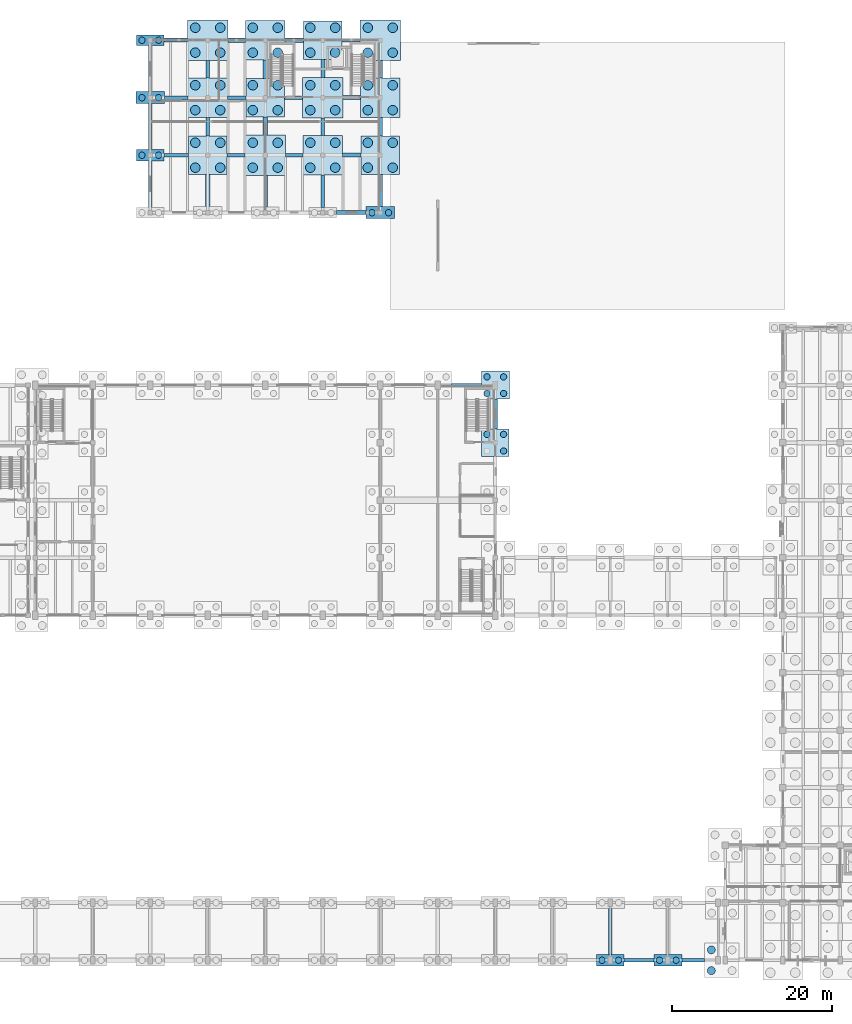
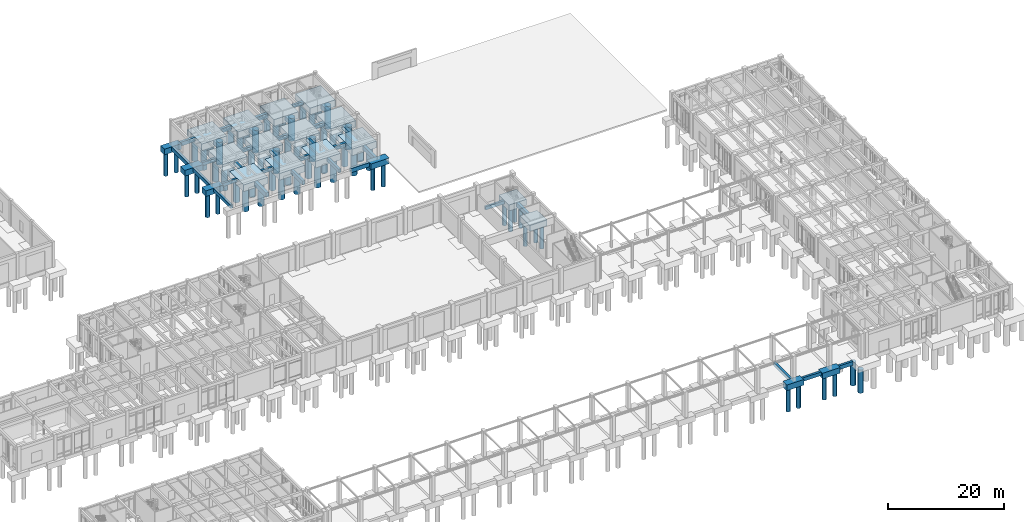
# One storey, part 7 of 93: 69 piles, 53 footings.
"""IFC4 building model written with IfcOpenShell, lengths in metres."""

import ifcopenshell
import ifcopenshell.guid

model = None  # the IFC model being written
_history = None  # IfcOwnerHistory: only IFC2X3 demands one
_inside = {}  # id of a spatial element -> (the spatial element, [elements in it])
_under = {}  # id of a project, library or spatial element -> (it, [spatial elements below it])
_declared = {}  # id of a project -> (the project, [libraries it declares])
_typed = {}  # id of a type object -> (the type object, [elements of that type])
_made_of = {}  # id of a material, layer set ... -> (it, [elements and type objects made of it])


def new_model(schema):
    """Start an empty IFC model of exactly this schema.

    Asked for "IFC4X3", IfcOpenShell would pick the latest addendum, in which some entities
    have other attributes; the version numbers below select the first issue.
    IFC2X3 requires an IfcOwnerHistory on every rooted entity: one is made here for all.
    """
    global model, _history
    if schema == "IFC4X3":
        model = ifcopenshell.file(schema_version=(4, 3, 0, 0))
    else:
        model = ifcopenshell.file(schema=schema)
    _inside.clear()
    _under.clear()
    _declared.clear()
    _typed.clear()
    _made_of.clear()
    _history = None
    if model.schema == "IFC2X3":
        org = make("IfcOrganization", Name="unknown")
        user = make(
            "IfcPersonAndOrganization",
            ThePerson=make("IfcPerson", FamilyName="unknown"),
            TheOrganization=org,
        )
        app = make(
            "IfcApplication",
            ApplicationDeveloper=org,
            Version="unknown",
            ApplicationFullName="unknown",
            ApplicationIdentifier="unknown",
        )
        _history = make(
            "IfcOwnerHistory",
            OwningUser=user,
            OwningApplication=app,
            ChangeAction="ADDED",
            CreationDate=0,
        )
    return model


def make(cls, **values):
    """One entity of the class cls with the attributes given. An attribute that is None is left unset."""
    return model.create_entity(
        cls, **{name: value for name, value in values.items() if value is not None}
    )


def rooted(cls, **values):
    """An entity with a GlobalId (a new one), such as an element, a storey or a relation."""
    return make(cls, GlobalId=ifcopenshell.guid.new(), OwnerHistory=_history, **values)


def si_unit(unit_type, name, prefix=None):
    """IfcSIUnit, for example si_unit("LENGTHUNIT", "METRE", prefix="MILLI")."""
    return make("IfcSIUnit", UnitType=unit_type, Prefix=prefix, Name=name)


def assignment(units):
    """IfcUnitAssignment: the units of a project."""
    return None if units is None else make("IfcUnitAssignment", Units=units)


def point(xyz):
    """IfcCartesianPoint."""
    return None if xyz is None else make("IfcCartesianPoint", Coordinates=xyz)


def direction(xyz):
    """IfcDirection."""
    return None if xyz is None else make("IfcDirection", DirectionRatios=xyz)


def frame(location, z_axis=None, x_axis=None):
    """IfcAxis2Placement3D, a coordinate frame: its origin and axes. An axis left out is left unset."""
    return make(
        "IfcAxis2Placement3D",
        Location=point(location),
        Axis=direction(z_axis),
        RefDirection=direction(x_axis),
    )


def frame_2d(location, x_axis=None):
    """IfcAxis2Placement2D, a coordinate frame in the plane: its origin and x axis."""
    return make(
        "IfcAxis2Placement2D", Location=point(location), RefDirection=direction(x_axis)
    )


def origin():
    """The frame at (0, 0, 0) with its axes left unset."""
    return frame((0.0, 0.0, 0.0))


def origin_2d():
    """The frame at (0, 0) in the plane with its x axis left unset."""
    return frame_2d((0.0, 0.0))


def place(relative_to, where):
    """IfcLocalPlacement: puts the frame where relative to a parent placement (None: the world)."""
    return make(
        "IfcLocalPlacement", PlacementRelTo=relative_to, RelativePlacement=where
    )


def context(
    kind, dimensions, precision=None, world=None, true_north=None, identifier=None
):
    """IfcGeometricRepresentationContext, for example the 3D "Model" context."""
    return make(
        "IfcGeometricRepresentationContext",
        ContextIdentifier=identifier,
        ContextType=kind,
        CoordinateSpaceDimension=dimensions,
        Precision=precision,
        WorldCoordinateSystem=world,
        TrueNorth=true_north,
    )


def subcontext(parent, identifier, kind, view, scale=None):
    """IfcGeometricRepresentationSubContext, for example "Body" below "Model"."""
    return make(
        "IfcGeometricRepresentationSubContext",
        ContextIdentifier=identifier,
        ContextType=kind,
        ParentContext=parent,
        TargetScale=scale,
        TargetView=view,
    )


def project(units=None, contexts=None):
    """IfcProject with its units and contexts."""
    return rooted(
        "IfcProject",
        Name="project",
        RepresentationContexts=contexts,
        UnitsInContext=assignment(units),
    )


def spatial(cls, under=None, at=None, **own):
    """A site, building, storey or space (cls), placed at a placement, below another one or the project."""
    s = rooted(cls, ObjectPlacement=at, **own)
    if under is not None:
        _under.setdefault(under.id(), (under, []))[1].append(s)
    return s


def profile(cls, at=None, kind="AREA", **sizes):
    """A parametric profile (cls). Its sizes go by their IFC names, for example OverallWidth=200.0."""
    return make(cls, ProfileType=kind, Position=at, **sizes)


def rectangle(**sizes):
    """IfcRectangleProfileDef."""
    return profile("IfcRectangleProfileDef", **sizes)


def circle(**sizes):
    """IfcCircleProfileDef."""
    return profile("IfcCircleProfileDef", **sizes)


def extrude(swept, where, along, depth):
    """IfcExtrudedAreaSolid: the profile swept, set in the frame where, extruded along a direction by depth."""
    return make(
        "IfcExtrudedAreaSolid",
        SweptArea=swept,
        Position=where,
        ExtrudedDirection=direction(along),
        Depth=depth,
    )


def shape(context_of_items, identifier, shape_type, items):
    """IfcShapeRepresentation: the items that make up one representation, for example the "Body"."""
    return make(
        "IfcShapeRepresentation",
        ContextOfItems=context_of_items,
        RepresentationIdentifier=identifier,
        RepresentationType=shape_type,
        Items=items,
    )


def material(Name=None, Category=None):
    """IfcMaterial."""
    return make("IfcMaterial", Name=Name, Category=Category)


def material_profile(
    of_material, cross_section, Name=None, Category=None, Priority=None
):
    """IfcMaterialProfile: a cross section and its material."""
    return make(
        "IfcMaterialProfile",
        Name=Name,
        Material=of_material,
        Profile=cross_section,
        Priority=Priority,
        Category=Category,
    )


def profile_set(profiles, Name=None, composite=None):
    """IfcMaterialProfileSet."""
    return make(
        "IfcMaterialProfileSet",
        Name=Name,
        MaterialProfiles=profiles,
        CompositeProfile=composite,
    )


def made_of(thing, what):
    """Note that an element or type object is made of a material, layer set ...; save() writes the relation."""
    if what is not None:
        _made_of.setdefault(what.id(), (what, []))[1].append(thing)
    return thing


def type_object(cls, material=None, **own):
    """A type object (cls), such as IfcWallType, which elements share."""
    return made_of(rooted(cls, **own), material)


def element(
    cls,
    number,
    at=None,
    inside=None,
    cuts=None,
    type_object=None,
    material=None,
    context=None,
    identifier="Body",
    shape_type=None,
    held_by="IfcProductDefinitionShape",
    body=None,
    shapes=None,
    **own,
):
    """One element of the class cls, such as IfcWall. Its Tag is "e" and its number.

    at: its placement. inside: the storey or other place that contains it. cuts: it is an
    opening in that element (IfcRelVoidsElement). A single representation is given by context,
    identifier, shape_type and body (its items); several are given by shapes. held_by: the class
    of the entity that holds the representations. save() writes the other relations.
    """
    e = rooted(cls, Tag="e%d" % number, ObjectPlacement=at, **own)
    if body is not None:
        shapes = [shape(context, identifier, shape_type, body)]
    if shapes is not None:
        e.Representation = make(held_by, Representations=shapes)
    if inside is not None:
        _inside.setdefault(inside.id(), (inside, []))[1].append(e)
    if cuts is not None:
        rooted(
            "IfcRelVoidsElement", RelatingBuildingElement=cuts, RelatedOpeningElement=e
        )
    if type_object is not None:
        _typed.setdefault(type_object.id(), (type_object, []))[1].append(e)
    return made_of(e, material)


def aggregate(whole, parts):
    """IfcRelAggregates: a whole, such as a stair, and the parts it consists of."""
    return rooted("IfcRelAggregates", RelatingObject=whole, RelatedObjects=parts)


def save(model, path):
    """Write the relations noted so far, then the file.

    IfcRelAggregates (storeys below a building ...), IfcRelContainedInSpatialStructure (elements
    in a storey), IfcRelDefinesByType, IfcRelAssociatesMaterial and IfcRelDeclares: one each for
    every whole, place, type object, material and project.
    """
    for whole, parts in _under.values():
        aggregate(whole, parts)
    for where, things in _inside.values():
        rooted(
            "IfcRelContainedInSpatialStructure",
            RelatedElements=things,
            RelatingStructure=where,
        )
    for kind, things in _typed.values():
        rooted("IfcRelDefinesByType", RelatedObjects=things, RelatingType=kind)
    for what, things in _made_of.values():
        rooted("IfcRelAssociatesMaterial", RelatedObjects=things, RelatingMaterial=what)
    for by, libraries in _declared.values():
        rooted("IfcRelDeclares", RelatingContext=by, RelatedDefinitions=libraries)
    model.write(path)


model = new_model("IFC4")

# Units and contexts
model_context = context("Model", 3, precision=1e-05, world=origin(), true_north=direction((0.0, 1.0)))
body_context = subcontext(model_context, "Body", "Model", "MODEL_VIEW")
ifc_project = project(units=[si_unit("LENGTHUNIT", "METRE"), si_unit("AREAUNIT", "SQUARE_METRE"), si_unit("VOLUMEUNIT", "CUBIC_METRE"), si_unit("PLANEANGLEUNIT", "RADIAN"), si_unit("MASSUNIT", "GRAM", prefix="KILO")], contexts=[model_context])

# Site, building, storey
site_placement = place(None, origin())
site = spatial("IfcSite", under=ifc_project, at=site_placement, CompositionType="ELEMENT")
building_placement = place(site_placement, origin())
building = spatial("IfcBuilding", under=site, at=building_placement, Name="Koriwan Promenade Central Fire Station", CompositionType="ELEMENT")
storey_placement = place(building_placement, origin())
storey = spatial("IfcBuildingStorey", under=building, at=storey_placement, Name="L00", CompositionType="ELEMENT", Elevation=0.0)

# Piles
ifc_material = material(Name="Concrete C35/45", Category="concrete")
ifc_material_profile_1 = material_profile(ifc_material, circle(Radius=0.5, at=origin_2d()), Name="PILE-D1000")
ifc_profile_set_1 = profile_set([ifc_material_profile_1], Name="Concrete C35/45")
pile_type_1 = type_object("IfcPileType", Name="BoredPile_1000", PredefinedType="BORED", material=ifc_profile_set_1)
for number, where, z_axis, x_axis, name in (
    (1, (142.25, -1.300048828125, -1.14990234375), (0.0, 0.0, -1.0), (1.0, 0.0, 0.0), "Bored pile PCAP_161-11"),
    (2, (142.25, 1.300048828125, -1.14990234375), (0.0, 0.0, -1.0), (1.0, 0.0, 0.0), "Bored pile PCAP_161-12"),
):
    element("IfcPile", number, at=place(storey_placement, frame(where, z_axis=z_axis, x_axis=x_axis)), inside=storey, type_object=pile_type_1, Name=name, PredefinedType="BORED", context=body_context, shape_type="SweptSolid", body=[
        extrude(circle(Radius=0.5, at=origin_2d()), origin(), (0.0, 0.0, 1.0), 4.89990234375),
    ])
ifc_material_profile_2 = material_profile(ifc_material, circle(Radius=0.60009765625, at=origin_2d()), Name="PILE-D1200")
ifc_profile_set_2 = profile_set([ifc_material_profile_2], Name="Concrete C35/45")
pile_type_2 = type_object("IfcPileType", Name="BoredPile_1200", PredefinedType="BORED", material=ifc_profile_set_2)
for number, where, z_axis, x_axis, name in (
    (3, (77.639892578125, 99.239990234375, -1.25), (0.0, 0.0, -1.0), (1.0, 0.0, 0.0), "Bored pile PCAP_108-11"),
    (4, (77.639892578125, 102.360107421875, -1.25), (0.0, 0.0, -1.0), (1.0, 0.0, 0.0), "Bored pile PCAP_108-12"),
    (5, (80.760009765625, 99.239990234375, -1.25), (0.0, 0.0, -1.0), (1.0, 0.0, 0.0), "Bored pile PCAP_108-21"),
    (6, (80.760009765625, 102.360107421875, -1.25), (0.0, 0.0, -1.0), (1.0, 0.0, 0.0), "Bored pile PCAP_108-22"),
    (7, (77.639892578125, 106.43994140625, -1.25), (0.0, 0.0, -1.0), (1.0, 0.0, 0.0), "Bored pile PCAP_109-11"),
    (8, (77.639892578125, 109.56005859375, -1.25), (0.0, 0.0, -1.0), (1.0, 0.0, 0.0), "Bored pile PCAP_109-12"),
    (9, (80.760009765625, 106.43994140625, -1.25), (0.0, 0.0, -1.0), (1.0, 0.0, 0.0), "Bored pile PCAP_109-21"),
    (10, (80.760009765625, 109.56005859375, -1.25), (0.0, 0.0, -1.0), (1.0, 0.0, 0.0), "Bored pile PCAP_109-22"),
    (11, (77.639892578125, 113.639892578125, -1.25), (0.0, 0.0, -1.0), (1.0, 0.0, 0.0), "Bored pile PCAP_110-11"),
    (12, (77.639892578125, 116.760009765625, -1.25), (0.0, 0.0, -1.0), (1.0, 0.0, 0.0), "Bored pile PCAP_110-12"),
    (13, (80.760009765625, 113.639892578125, -1.25), (0.0, 0.0, -1.0), (1.0, 0.0, 0.0), "Bored pile PCAP_110-21"),
    (14, (80.760009765625, 116.760009765625, -1.25), (0.0, 0.0, -1.0), (1.0, 0.0, 0.0), "Bored pile PCAP_110-22"),
    (15, (84.840087890625, 99.239990234375, -1.25), (0.0, 0.0, -1.0), (1.0, 0.0, 0.0), "Bored pile PCAP_116-11"),
    (16, (84.840087890625, 102.360107421875, -1.25), (0.0, 0.0, -1.0), (1.0, 0.0, 0.0), "Bored pile PCAP_116-12"),
    (17, (87.9599609375, 99.239990234375, -1.25), (0.0, 0.0, -1.0), (1.0, 0.0, 0.0), "Bored pile PCAP_116-21"),
    (18, (87.9599609375, 102.360107421875, -1.25), (0.0, 0.0, -1.0), (1.0, 0.0, 0.0), "Bored pile PCAP_116-22"),
    (19, (84.840087890625, 106.43994140625, -1.25), (0.0, 0.0, -1.0), (1.0, 0.0, 0.0), "Bored pile PCAP_117-11"),
    (20, (84.840087890625, 109.56005859375, -1.25), (0.0, 0.0, -1.0), (1.0, 0.0, 0.0), "Bored pile PCAP_117-12"),
    (21, (87.9599609375, 106.43994140625, -1.25), (0.0, 0.0, -1.0), (1.0, 0.0, 0.0), "Bored pile PCAP_117-21"),
    (22, (87.9599609375, 109.56005859375, -1.25), (0.0, 0.0, -1.0), (1.0, 0.0, 0.0), "Bored pile PCAP_117-22"),
    (23, (84.840087890625, 113.639892578125, -1.25), (0.0, 0.0, -1.0), (1.0, 0.0, 0.0), "Bored pile PCAP_118-11"),
    (24, (84.840087890625, 116.760009765625, -1.25), (0.0, 0.0, -1.0), (1.0, 0.0, 0.0), "Bored pile PCAP_118-12"),
    (25, (87.9599609375, 113.639892578125, -1.25), (0.0, 0.0, -1.0), (1.0, 0.0, 0.0), "Bored pile PCAP_118-21"),
    (26, (87.9599609375, 116.760009765625, -1.25), (0.0, 0.0, -1.0), (1.0, 0.0, 0.0), "Bored pile PCAP_118-22"),
    (27, (92.0400390625, 99.239990234375, -1.25), (0.0, 0.0, -1.0), (1.0, 0.0, 0.0), "Bored pile PCAP_124-11"),
    (28, (92.0400390625, 102.360107421875, -1.25), (0.0, 0.0, -1.0), (1.0, 0.0, 0.0), "Bored pile PCAP_124-12"),
    (29, (95.159912109375, 99.239990234375, -1.25), (0.0, 0.0, -1.0), (1.0, 0.0, 0.0), "Bored pile PCAP_124-21"),
    (30, (95.159912109375, 102.360107421875, -1.25), (0.0, 0.0, -1.0), (1.0, 0.0, 0.0), "Bored pile PCAP_124-22"),
    (31, (92.0400390625, 106.43994140625, -1.25), (0.0, 0.0, -1.0), (1.0, 0.0, 0.0), "Bored pile PCAP_125-11"),
    (32, (92.0400390625, 109.56005859375, -1.25), (0.0, 0.0, -1.0), (1.0, 0.0, 0.0), "Bored pile PCAP_125-12"),
    (33, (95.159912109375, 106.43994140625, -1.25), (0.0, 0.0, -1.0), (1.0, 0.0, 0.0), "Bored pile PCAP_125-21"),
    (34, (95.159912109375, 109.56005859375, -1.25), (0.0, 0.0, -1.0), (1.0, 0.0, 0.0), "Bored pile PCAP_125-22"),
    (35, (92.0400390625, 113.639892578125, -1.25), (0.0, 0.0, -1.0), (1.0, 0.0, 0.0), "Bored pile PCAP_126-11"),
    (36, (92.0400390625, 116.760009765625, -1.25), (0.0, 0.0, -1.0), (1.0, 0.0, 0.0), "Bored pile PCAP_126-12"),
    (37, (95.159912109375, 113.639892578125, -1.25), (0.0, 0.0, -1.0), (1.0, 0.0, 0.0), "Bored pile PCAP_126-21"),
    (38, (95.159912109375, 116.760009765625, -1.25), (0.0, 0.0, -1.0), (1.0, 0.0, 0.0), "Bored pile PCAP_126-22"),
    (39, (99.239990234375, 99.239990234375, -1.25), (0.0, 0.0, -1.0), (1.0, 0.0, 0.0), "Bored pile PCAP_135-11"),
    (40, (99.239990234375, 102.360107421875, -1.25), (0.0, 0.0, -1.0), (1.0, 0.0, 0.0), "Bored pile PCAP_135-12"),
    (41, (102.360107421875, 99.239990234375, -1.25), (0.0, 0.0, -1.0), (1.0, 0.0, 0.0), "Bored pile PCAP_135-21"),
    (42, (102.360107421875, 102.360107421875, -1.25), (0.0, 0.0, -1.0), (1.0, 0.0, 0.0), "Bored pile PCAP_135-22"),
    (43, (99.239990234375, 106.43994140625, -1.25), (0.0, 0.0, -1.0), (1.0, 0.0, 0.0), "Bored pile PCAP_136-11"),
    (44, (99.239990234375, 109.56005859375, -1.25), (0.0, 0.0, -1.0), (1.0, 0.0, 0.0), "Bored pile PCAP_136-12"),
    (45, (102.360107421875, 106.43994140625, -1.25), (0.0, 0.0, -1.0), (1.0, 0.0, 0.0), "Bored pile PCAP_136-21"),
    (46, (102.360107421875, 109.56005859375, -1.25), (0.0, 0.0, -1.0), (1.0, 0.0, 0.0), "Bored pile PCAP_136-22"),
    (47, (99.239990234375, 113.639892578125, -1.25), (0.0, 0.0, -1.0), (1.0, 0.0, 0.0), "Bored pile PCAP_137-11"),
    (48, (99.239990234375, 116.760009765625, -1.25), (0.0, 0.0, -1.0), (1.0, 0.0, 0.0), "Bored pile PCAP_137-12"),
    (49, (102.360107421875, 113.639892578125, -1.25), (0.0, 0.0, -1.0), (1.0, 0.0, 0.0), "Bored pile PCAP_137-21"),
    (50, (102.360107421875, 116.760009765625, -1.25), (0.0, 0.0, -1.0), (1.0, 0.0, 0.0), "Bored pile PCAP_137-22"),
):
    element("IfcPile", number, at=place(storey_placement, frame(where, z_axis=z_axis, x_axis=x_axis)), inside=storey, type_object=pile_type_2, Name=name, PredefinedType="BORED", context=body_context, shape_type="SweptSolid", body=[
        extrude(circle(Radius=0.60009765625, at=origin_2d()), origin(), (0.0, 0.0, 1.0), 4.800048828125),
    ])
ifc_material_profile_3 = material_profile(ifc_material, circle(Radius=0.39990234375, at=origin_2d()), Name="PILE-D800")
ifc_profile_set_3 = profile_set([ifc_material_profile_3], Name="Concrete C35/45")
pile_type_3 = type_object("IfcPileType", Name="BoredPile_800", PredefinedType="BORED", material=ifc_profile_set_3)
for number, where, z_axis, x_axis, name in (
    (51, (70.9599609375, 100.800048828125, -1.050048828125), (0.0, 0.0, -1.0), (1.0, 0.0, 0.0), "Bored pile PCAP_100-11"),
    (52, (73.0400390625, 100.800048828125, -1.050048828125), (0.0, 0.0, -1.0), (1.0, 0.0, 0.0), "Bored pile PCAP_100-21"),
    (53, (70.9599609375, 108.0, -1.050048828125), (0.0, 0.0, -1.0), (1.0, 0.0, 0.0), "Bored pile PCAP_101-11"),
    (54, (73.0400390625, 108.0, -1.050048828125), (0.0, 0.0, -1.0), (1.0, 0.0, 0.0), "Bored pile PCAP_101-21"),
    (55, (70.9599609375, 115.199951171875, -1.050048828125), (0.0, 0.0, -1.0), (1.0, 0.0, 0.0), "Bored pile PCAP_102-11"),
    (56, (73.0400390625, 115.199951171875, -1.050048828125), (0.0, 0.0, -1.0), (1.0, 0.0, 0.0), "Bored pile PCAP_102-21"),
    (57, (99.760009765625, 93.60009765625, -1.050048828125), (0.0, 0.0, -1.0), (1.0, 0.0, 0.0), "Bored pile PCAP_134-11"),
    (58, (101.840087890625, 93.60009765625, -1.050048828125), (0.0, 0.0, -1.0), (1.0, 0.0, 0.0), "Bored pile PCAP_134-21"),
):
    element("IfcPile", number, at=place(storey_placement, frame(where, z_axis=z_axis, x_axis=x_axis)), inside=storey, type_object=pile_type_3, Name=name, PredefinedType="BORED", context=body_context, shape_type="SweptSolid", body=[
        extrude(circle(Radius=0.39990234375, at=origin_2d()), origin(), (0.0, 0.0, 1.0), 5.0),
    ])
for number, where, z_axis, x_axis, name in (
    (59, (114.159912109375, 65.840087890625, -1.10009765625), (0.0, 0.0, -1.0), (1.0, 0.0, 0.0), "Bored pile PCAP_147-12"),
    (60, (116.239990234375, 63.760009765625, -1.10009765625), (0.0, 0.0, -1.0), (1.0, 0.0, 0.0), "Bored pile PCAP_147-21"),
    (61, (116.239990234375, 65.840087890625, -1.10009765625), (0.0, 0.0, -1.0), (1.0, 0.0, 0.0), "Bored pile PCAP_147-22"),
    (62, (114.159912109375, 70.9599609375, -1.10009765625), (0.0, 0.0, -1.0), (1.0, 0.0, 0.0), "Bored pile PCAP_148-11"),
    (63, (114.159912109375, 73.0400390625, -1.10009765625), (0.0, 0.0, -1.0), (1.0, 0.0, 0.0), "Bored pile PCAP_148-12"),
    (64, (116.239990234375, 70.9599609375, -1.10009765625), (0.0, 0.0, -1.0), (1.0, 0.0, 0.0), "Bored pile PCAP_148-21"),
    (65, (116.239990234375, 73.0400390625, -1.10009765625), (0.0, 0.0, -1.0), (1.0, 0.0, 0.0), "Bored pile PCAP_148-22"),
):
    element("IfcPile", number, at=place(storey_placement, frame(where, z_axis=z_axis, x_axis=x_axis)), inside=storey, type_object=pile_type_3, Name=name, PredefinedType="BORED", context=body_context, shape_type="SweptSolid", body=[
        extrude(circle(Radius=0.39990234375, at=origin_2d()), origin(), (0.0, 0.0, 1.0), 4.949951171875),
    ])
for number, where, z_axis, x_axis, name in (
    (66, (128.56005859375, 0.0, -1.050048828125), (0.0, 0.0, -1.0), (1.0, 0.0, 0.0), "Bored pile PCAP_153-11"),
    (67, (130.639892578125, 0.0, -1.050048828125), (0.0, 0.0, -1.0), (1.0, 0.0, 0.0), "Bored pile PCAP_153-21"),
    (68, (135.760009765625, 0.0, -1.050048828125), (0.0, 0.0, -1.0), (1.0, 0.0, 0.0), "Bored pile PCAP_157-11"),
    (69, (137.840087890625, 0.0, -1.050048828125), (0.0, 0.0, -1.0), (1.0, 0.0, 0.0), "Bored pile PCAP_157-21"),
):
    element("IfcPile", number, at=place(storey_placement, frame(where, z_axis=z_axis, x_axis=x_axis)), inside=storey, type_object=pile_type_3, Name=name, PredefinedType="BORED", context=body_context, shape_type="SweptSolid", body=[
        extrude(circle(Radius=0.39990234375, at=origin_2d()), origin(), (0.0, 0.0, 1.0), 5.0),
    ])

# Footings
footing_type_1 = type_object("IfcFootingType", Name="GroundTieBeam_400x700", PredefinedType="FOOTING_BEAM", material=ifc_material)
footing_1_placement = place(storey_placement, frame((111.574951171875, 72.0, -0.7001953125), z_axis=(0.0, 0.0, 1.0), x_axis=(1.0, 0.0, 0.0)))
element("IfcFooting", 70, at=footing_1_placement, inside=storey, type_object=footing_type_1, Name="Seismic tie beam X-144", PredefinedType="FOOTING_BEAM", context=body_context, shape_type="SweptSolid", body=[
    extrude(rectangle(XDim=3.75, YDim=0.39990234375, at=origin_2d()), origin(), (0.0, 0.0, 1.0), 0.699951171875),
])
footing_2_placement = place(storey_placement, frame((75.262451171875, 100.800048828125, -0.7001953125), z_axis=(0.0, 0.0, 1.0), x_axis=(1.0, 0.0, 0.0)))
element("IfcFooting", 71, at=footing_2_placement, inside=storey, type_object=footing_type_1, Name="Seismic tie beam X-162", PredefinedType="FOOTING_BEAM", context=body_context, shape_type="SweptSolid", body=[
    extrude(rectangle(XDim=3.02490234375, YDim=0.39990234375, at=origin_2d()), origin(), (0.0, 0.0, 1.0), 0.699951171875),
])
footing_3_placement = place(storey_placement, frame((75.262451171875, 108.0, -0.7001953125), z_axis=(0.0, 0.0, 1.0), x_axis=(1.0, 0.0, 0.0)))
element("IfcFooting", 72, at=footing_3_placement, inside=storey, type_object=footing_type_1, Name="Seismic tie beam X-168", PredefinedType="FOOTING_BEAM", context=body_context, shape_type="SweptSolid", body=[
    extrude(rectangle(XDim=2.925048828125, YDim=0.39990234375, at=origin_2d()), origin(), (0.0, 0.0, 1.0), 0.699951171875),
])
footing_4_placement = place(storey_placement, frame((97.14990234375, 115.199951171875, -0.7001953125), z_axis=(0.0, 0.0, 1.0), x_axis=(1.0, 0.0, 0.0)))
element("IfcFooting", 73, at=footing_4_placement, inside=storey, type_object=footing_type_1, Name="Seismic tie beam X-180", PredefinedType="FOOTING_BEAM", context=body_context, shape_type="SweptSolid", body=[
    extrude(rectangle(XDim=2.25, YDim=0.39990234375, at=origin_2d()), origin(), (0.0, 0.0, 1.0), 0.699951171875),
])
footing_5_placement = place(storey_placement, frame((79.199951171875, 104.375, -0.7001953125), z_axis=(0.0, 0.0, 1.0), x_axis=(0.0, 1.0, 0.0)))
element("IfcFooting", 74, at=footing_5_placement, inside=storey, type_object=footing_type_1, Name="Seismic tie beam Y-252", PredefinedType="FOOTING_BEAM", context=body_context, shape_type="SweptSolid", body=[
    extrude(rectangle(XDim=2.300048828125, YDim=0.39990234375, at=origin_2d()), origin(), (0.0, 0.0, 1.0), 0.699951171875),
])
footing_type_2 = type_object("IfcFootingType", Name="GroundTieBeam_450x750", PredefinedType="FOOTING_BEAM", material=ifc_material)
footing_6_placement = place(storey_placement, frame((133.175048828125, 0.0, -0.75), z_axis=(0.0, 0.0, 1.0), x_axis=(1.0, 0.0, 0.0)))
element("IfcFooting", 75, at=footing_6_placement, inside=storey, type_object=footing_type_2, Name="Seismic tie beam X-019", PredefinedType="FOOTING_BEAM", context=body_context, shape_type="SweptSolid", body=[
    extrude(rectangle(XDim=3.75, YDim=0.449951171875, at=origin_2d()), origin(), (0.0, 0.0, 1.0), 0.75),
])
footing_7_placement = place(storey_placement, frame((82.75, 100.800048828125, -0.75), z_axis=(0.0, 0.0, 1.0), x_axis=(1.0, 0.0, 0.0)))
element("IfcFooting", 76, at=footing_7_placement, inside=storey, type_object=footing_type_2, Name="Seismic tie beam X-163", PredefinedType="FOOTING_BEAM", context=body_context, shape_type="SweptSolid", body=[
    extrude(rectangle(XDim=2.25, YDim=0.449951171875, at=origin_2d()), origin(), (0.0, 0.0, 1.0), 0.75),
])
footing_8_placement = place(storey_placement, frame((82.824951171875, 108.0, -0.75), z_axis=(0.0, 0.0, 1.0), x_axis=(1.0, 0.0, 0.0)))
element("IfcFooting", 77, at=footing_8_placement, inside=storey, type_object=footing_type_2, Name="Seismic tie beam X-169", PredefinedType="FOOTING_BEAM", context=body_context, shape_type="SweptSolid", body=[
    extrude(rectangle(XDim=2.300048828125, YDim=0.449951171875, at=origin_2d()), origin(), (0.0, 0.0, 1.0), 0.75),
])
footing_9_placement = place(storey_placement, frame((72.0, 97.175048828125, -0.75), z_axis=(0.0, 0.0, 1.0), x_axis=(0.0, 1.0, 0.0)))
element("IfcFooting", 78, at=footing_9_placement, inside=storey, type_object=footing_type_2, Name="Seismic tie beam Y-247", PredefinedType="FOOTING_BEAM", context=body_context, shape_type="SweptSolid", body=[
    extrude(rectangle(XDim=5.85009765625, YDim=0.449951171875, at=origin_2d()), origin(), (0.0, 0.0, 1.0), 0.75),
])
footing_10_placement = place(storey_placement, frame((79.199951171875, 111.574951171875, -0.75), z_axis=(0.0, 0.0, 1.0), x_axis=(0.0, 1.0, 0.0)))
element("IfcFooting", 79, at=footing_10_placement, inside=storey, type_object=footing_type_2, Name="Seismic tie beam Y-253", PredefinedType="FOOTING_BEAM", context=body_context, shape_type="SweptSolid", body=[
    extrude(rectangle(XDim=2.199951171875, YDim=0.449951171875, at=origin_2d()), origin(), (0.0, 0.0, 1.0), 0.75),
])
footing_11_placement = place(storey_placement, frame((93.60009765625, 96.28759765625, -0.75), z_axis=(0.0, 0.0, 1.0), x_axis=(0.0, 1.0, 0.0)))
element("IfcFooting", 80, at=footing_11_placement, inside=storey, type_object=footing_type_2, Name="Seismic tie beam Y-259", PredefinedType="FOOTING_BEAM", context=body_context, shape_type="SweptSolid", body=[
    extrude(rectangle(XDim=4.074951171875, YDim=0.449951171875, at=origin_2d()), origin(), (0.0, 0.0, 1.0), 0.75),
])
footing_12_placement = place(storey_placement, frame((129.60009765625, 3.58740234375, -0.75), z_axis=(0.0, 0.0, 1.0), x_axis=(0.0, 1.0, 0.0)))
element("IfcFooting", 81, at=footing_12_placement, inside=storey, type_object=footing_type_2, Name="Seismic tie beam Y-277", PredefinedType="FOOTING_BEAM", context=body_context, shape_type="SweptSolid", body=[
    extrude(rectangle(XDim=5.77490234375, YDim=0.449951171875, at=origin_2d()), origin(), (0.0, 0.0, 1.0), 0.75),
])
footing_type_3 = type_object("IfcFootingType", Name="GroundTieBeam_450x800", PredefinedType="FOOTING_BEAM", material=ifc_material)
footing_13_placement = place(storey_placement, frame((139.97509765625, 0.0, -0.7998046875), z_axis=(0.0, 0.0, 1.0), x_axis=(1.0, 0.0, 0.0)))
element("IfcFooting", 82, at=footing_13_placement, inside=storey, type_object=footing_type_3, Name="Seismic tie beam X-020", PredefinedType="FOOTING_BEAM", context=body_context, shape_type="SweptSolid", body=[
    extrude(rectangle(XDim=2.85009765625, YDim=0.449951171875, at=origin_2d()), origin(), (0.0, 0.0, 1.0), 0.800048828125),
])
footing_14_placement = place(storey_placement, frame((90.02490234375, 100.800048828125, -0.7998046875), z_axis=(0.0, 0.0, 1.0), x_axis=(1.0, 0.0, 0.0)))
element("IfcFooting", 83, at=footing_14_placement, inside=storey, type_object=footing_type_3, Name="Seismic tie beam X-164", PredefinedType="FOOTING_BEAM", context=body_context, shape_type="SweptSolid", body=[
    extrude(rectangle(XDim=2.199951171875, YDim=0.449951171875, at=origin_2d()), origin(), (0.0, 0.0, 1.0), 0.800048828125),
])
footing_15_placement = place(storey_placement, frame((89.949951171875, 108.0, -0.7998046875), z_axis=(0.0, 0.0, 1.0), x_axis=(1.0, 0.0, 0.0)))
element("IfcFooting", 84, at=footing_15_placement, inside=storey, type_object=footing_type_3, Name="Seismic tie beam X-170", PredefinedType="FOOTING_BEAM", context=body_context, shape_type="SweptSolid", body=[
    extrude(rectangle(XDim=2.25, YDim=0.449951171875, at=origin_2d()), origin(), (0.0, 0.0, 1.0), 0.800048828125),
])
footing_16_placement = place(storey_placement, frame((72.0, 104.375, -0.7998046875), z_axis=(0.0, 0.0, 1.0), x_axis=(0.0, 1.0, 0.0)))
element("IfcFooting", 85, at=footing_16_placement, inside=storey, type_object=footing_type_3, Name="Seismic tie beam Y-248", PredefinedType="FOOTING_BEAM", context=body_context, shape_type="SweptSolid", body=[
    extrude(rectangle(XDim=5.75, YDim=0.449951171875, at=origin_2d()), origin(), (0.0, 0.0, 1.0), 0.800048828125),
])
footing_17_placement = place(storey_placement, frame((93.60009765625, 104.375, -0.7998046875), z_axis=(0.0, 0.0, 1.0), x_axis=(0.0, 1.0, 0.0)))
element("IfcFooting", 86, at=footing_17_placement, inside=storey, type_object=footing_type_3, Name="Seismic tie beam Y-260", PredefinedType="FOOTING_BEAM", context=body_context, shape_type="SweptSolid", body=[
    extrude(rectangle(XDim=2.199951171875, YDim=0.449951171875, at=origin_2d()), origin(), (0.0, 0.0, 1.0), 0.800048828125),
])
footing_type_4 = type_object("IfcFootingType", Name="GroundTieBeam_500x850", PredefinedType="FOOTING_BEAM", material=ifc_material)
footing_18_placement = place(storey_placement, frame((97.14990234375, 93.60009765625, -0.85009765625), z_axis=(0.0, 0.0, 1.0), x_axis=(1.0, 0.0, 0.0)))
element("IfcFooting", 87, at=footing_18_placement, inside=storey, type_object=footing_type_4, Name="Seismic tie beam X-159", PredefinedType="FOOTING_BEAM", context=body_context, shape_type="SweptSolid", body=[
    extrude(rectangle(XDim=3.699951171875, YDim=0.5, at=origin_2d()), origin(), (0.0, 0.0, 1.0), 0.85009765625),
])
footing_19_placement = place(storey_placement, frame((97.22509765625, 100.800048828125, -0.85009765625), z_axis=(0.0, 0.0, 1.0), x_axis=(1.0, 0.0, 0.0)))
element("IfcFooting", 88, at=footing_19_placement, inside=storey, type_object=footing_type_4, Name="Seismic tie beam X-165", PredefinedType="FOOTING_BEAM", context=body_context, shape_type="SweptSolid", body=[
    extrude(rectangle(XDim=2.300048828125, YDim=0.5, at=origin_2d()), origin(), (0.0, 0.0, 1.0), 0.85009765625),
])
footing_20_placement = place(storey_placement, frame((97.22509765625, 108.0, -0.85009765625), z_axis=(0.0, 0.0, 1.0), x_axis=(1.0, 0.0, 0.0)))
element("IfcFooting", 89, at=footing_20_placement, inside=storey, type_object=footing_type_4, Name="Seismic tie beam X-171", PredefinedType="FOOTING_BEAM", context=body_context, shape_type="SweptSolid", body=[
    extrude(rectangle(XDim=2.199951171875, YDim=0.5, at=origin_2d()), origin(), (0.0, 0.0, 1.0), 0.85009765625),
])
footing_21_placement = place(storey_placement, frame((75.1875, 115.199951171875, -0.85009765625), z_axis=(0.0, 0.0, 1.0), x_axis=(1.0, 0.0, 0.0)))
element("IfcFooting", 90, at=footing_21_placement, inside=storey, type_object=footing_type_4, Name="Seismic tie beam X-177", PredefinedType="FOOTING_BEAM", context=body_context, shape_type="SweptSolid", body=[
    extrude(rectangle(XDim=2.97509765625, YDim=0.5, at=origin_2d()), origin(), (0.0, 0.0, 1.0), 0.85009765625),
])
footing_22_placement = place(storey_placement, frame((72.0, 111.64990234375, -0.85009765625), z_axis=(0.0, 0.0, 1.0), x_axis=(0.0, 1.0, 0.0)))
element("IfcFooting", 91, at=footing_22_placement, inside=storey, type_object=footing_type_4, Name="Seismic tie beam Y-249", PredefinedType="FOOTING_BEAM", context=body_context, shape_type="SweptSolid", body=[
    extrude(rectangle(XDim=5.800048828125, YDim=0.5, at=origin_2d()), origin(), (0.0, 0.0, 1.0), 0.85009765625),
])
footing_23_placement = place(storey_placement, frame((86.39990234375, 96.28759765625, -0.85009765625), z_axis=(0.0, 0.0, 1.0), x_axis=(0.0, 1.0, 0.0)))
element("IfcFooting", 92, at=footing_23_placement, inside=storey, type_object=footing_type_4, Name="Seismic tie beam Y-255", PredefinedType="FOOTING_BEAM", context=body_context, shape_type="SweptSolid", body=[
    extrude(rectangle(XDim=3.97509765625, YDim=0.5, at=origin_2d()), origin(), (0.0, 0.0, 1.0), 0.85009765625),
])
footing_24_placement = place(storey_placement, frame((93.60009765625, 111.64990234375, -0.85009765625), z_axis=(0.0, 0.0, 1.0), x_axis=(0.0, 1.0, 0.0)))
element("IfcFooting", 93, at=footing_24_placement, inside=storey, type_object=footing_type_4, Name="Seismic tie beam Y-261", PredefinedType="FOOTING_BEAM", context=body_context, shape_type="SweptSolid", body=[
    extrude(rectangle(XDim=2.25, YDim=0.5, at=origin_2d()), origin(), (0.0, 0.0, 1.0), 0.85009765625),
])
footing_25_placement = place(storey_placement, frame((100.800048828125, 96.362548828125, -0.85009765625), z_axis=(0.0, 0.0, 1.0), x_axis=(0.0, 1.0, 0.0)))
element("IfcFooting", 94, at=footing_25_placement, inside=storey, type_object=footing_type_4, Name="Seismic tie beam Y-267", PredefinedType="FOOTING_BEAM", context=body_context, shape_type="SweptSolid", body=[
    extrude(rectangle(XDim=4.02490234375, YDim=0.5, at=origin_2d()), origin(), (0.0, 0.0, 1.0), 0.85009765625),
])
footing_26_placement = place(storey_placement, frame((115.199951171875, 68.375, -0.85009765625), z_axis=(0.0, 0.0, 1.0), x_axis=(0.0, 1.0, 0.0)))
element("IfcFooting", 95, at=footing_26_placement, inside=storey, type_object=footing_type_4, Name="Seismic tie beam Y-273", PredefinedType="FOOTING_BEAM", context=body_context, shape_type="SweptSolid", body=[
    extrude(rectangle(XDim=3.75, YDim=0.5, at=origin_2d()), origin(), (0.0, 0.0, 1.0), 0.85009765625),
])
footing_type_5 = type_object("IfcFootingType", Name="GroundTieBeam_550x900", PredefinedType="FOOTING_BEAM", material=ifc_material)
footing_27_placement = place(storey_placement, frame((82.824951171875, 115.199951171875, -0.89990234375), z_axis=(0.0, 0.0, 1.0), x_axis=(1.0, 0.0, 0.0)))
element("IfcFooting", 96, at=footing_27_placement, inside=storey, type_object=footing_type_5, Name="Seismic tie beam X-178", PredefinedType="FOOTING_BEAM", context=body_context, shape_type="SweptSolid", body=[
    extrude(rectangle(XDim=2.199951171875, YDim=0.550048828125, at=origin_2d()), origin(), (0.0, 0.0, 1.0), 0.89990234375),
])
footing_28_placement = place(storey_placement, frame((86.39990234375, 104.449951171875, -0.89990234375), z_axis=(0.0, 0.0, 1.0), x_axis=(0.0, 1.0, 0.0)))
element("IfcFooting", 97, at=footing_28_placement, inside=storey, type_object=footing_type_5, Name="Seismic tie beam Y-256", PredefinedType="FOOTING_BEAM", context=body_context, shape_type="SweptSolid", body=[
    extrude(rectangle(XDim=2.25, YDim=0.550048828125, at=origin_2d()), origin(), (0.0, 0.0, 1.0), 0.89990234375),
])
footing_29_placement = place(storey_placement, frame((100.800048828125, 104.375, -0.89990234375), z_axis=(0.0, 0.0, 1.0), x_axis=(0.0, 1.0, 0.0)))
element("IfcFooting", 98, at=footing_29_placement, inside=storey, type_object=footing_type_5, Name="Seismic tie beam Y-268", PredefinedType="FOOTING_BEAM", context=body_context, shape_type="SweptSolid", body=[
    extrude(rectangle(XDim=2.300048828125, YDim=0.550048828125, at=origin_2d()), origin(), (0.0, 0.0, 1.0), 0.89990234375),
])
footing_type_6 = type_object("IfcFootingType", Name="GroundTieBeam_600x950", PredefinedType="FOOTING_BEAM", material=ifc_material)
footing_30_placement = place(storey_placement, frame((90.02490234375, 115.199951171875, -0.9501953125), z_axis=(0.0, 0.0, 1.0), x_axis=(1.0, 0.0, 0.0)))
element("IfcFooting", 99, at=footing_30_placement, inside=storey, type_object=footing_type_6, Name="Seismic tie beam X-179", PredefinedType="FOOTING_BEAM", context=body_context, shape_type="SweptSolid", body=[
    extrude(rectangle(XDim=2.300048828125, YDim=0.60009765625, at=origin_2d()), origin(), (0.0, 0.0, 1.0), 0.949951171875),
])
footing_31_placement = place(storey_placement, frame((79.199951171875, 96.362548828125, -0.9501953125), z_axis=(0.0, 0.0, 1.0), x_axis=(0.0, 1.0, 0.0)))
element("IfcFooting", 100, at=footing_31_placement, inside=storey, type_object=footing_type_6, Name="Seismic tie beam Y-251", PredefinedType="FOOTING_BEAM", context=body_context, shape_type="SweptSolid", body=[
    extrude(rectangle(XDim=4.02490234375, YDim=0.60009765625, at=origin_2d()), origin(), (0.0, 0.0, 1.0), 0.949951171875),
])
footing_32_placement = place(storey_placement, frame((86.39990234375, 111.574951171875, -0.9501953125), z_axis=(0.0, 0.0, 1.0), x_axis=(0.0, 1.0, 0.0)))
element("IfcFooting", 101, at=footing_32_placement, inside=storey, type_object=footing_type_6, Name="Seismic tie beam Y-257", PredefinedType="FOOTING_BEAM", context=body_context, shape_type="SweptSolid", body=[
    extrude(rectangle(XDim=2.300048828125, YDim=0.60009765625, at=origin_2d()), origin(), (0.0, 0.0, 1.0), 0.949951171875),
])
footing_33_placement = place(storey_placement, frame((100.800048828125, 111.574951171875, -0.9501953125), z_axis=(0.0, 0.0, 1.0), x_axis=(0.0, 1.0, 0.0)))
element("IfcFooting", 102, at=footing_33_placement, inside=storey, type_object=footing_type_6, Name="Seismic tie beam Y-269", PredefinedType="FOOTING_BEAM", context=body_context, shape_type="SweptSolid", body=[
    extrude(rectangle(XDim=2.199951171875, YDim=0.60009765625, at=origin_2d()), origin(), (0.0, 0.0, 1.0), 0.949951171875),
])
footing_type_7 = type_object("IfcFootingType", Name="PileCap_3400x1300x1200", PredefinedType="PILE_CAP", material=ifc_material)
footing_34_placement = place(storey_placement, frame((72.0, 115.199951171875, -1.2001953125), z_axis=(0.0, 0.0, 1.0), x_axis=(1.0, 0.0, 0.0)))
element("IfcFooting", 103, at=footing_34_placement, inside=storey, type_object=footing_type_7, Name="Pile cap PCAP_102 (3400x1300x1200)", PredefinedType="PILE_CAP", context=body_context, shape_type="SweptSolid", body=[
    extrude(rectangle(XDim=3.39990234375, YDim=1.300048828125, at=origin_2d()), origin(), (0.0, 0.0, 1.0), 1.199951171875),
])
footing_type_8 = type_object("IfcFootingType", Name="PileCap_3400x1400x1200", PredefinedType="PILE_CAP", material=ifc_material)
footing_35_placement = place(storey_placement, frame((129.60009765625, 0.0, -1.2001953125), z_axis=(0.0, 0.0, 1.0), x_axis=(1.0, 0.0, 0.0)))
element("IfcFooting", 104, at=footing_35_placement, inside=storey, type_object=footing_type_8, Name="Pile cap PCAP_153 (3400x1400x1200)", PredefinedType="PILE_CAP", context=body_context, shape_type="SweptSolid", body=[
    extrude(rectangle(XDim=3.39990234375, YDim=1.39990234375, at=origin_2d()), origin(), (0.0, 0.0, 1.0), 1.199951171875),
])
footing_type_9 = type_object("IfcFootingType", Name="PileCap_3400x3400x1250", PredefinedType="PILE_CAP", material=ifc_material)
footing_36_placement = place(storey_placement, frame((115.199951171875, 64.800048828125, -1.25), z_axis=(0.0, 0.0, 1.0), x_axis=(1.0, 0.0, 0.0)))
element("IfcFooting", 105, at=footing_36_placement, inside=storey, type_object=footing_type_9, Name="Pile cap PCAP_147 (3400x3400x1250)", PredefinedType="PILE_CAP", context=body_context, shape_type="SweptSolid", body=[
    extrude(rectangle(XDim=3.39990234375, YDim=3.39990234375, at=origin_2d()), origin(), (0.0, 0.0, 1.0), 1.25),
])
footing_type_10 = type_object("IfcFootingType", Name="PileCap_3500x1400x1200", PredefinedType="PILE_CAP", material=ifc_material)
for number, where, z_axis, x_axis, name in (
    (106, (72.0, 100.800048828125, -1.2001953125), (0.0, 0.0, 1.0), (1.0, 0.0, 0.0), "Pile cap PCAP_100 (3500x1400x1200)"),
    (107, (136.800048828125, 0.0, -1.2001953125), (0.0, 0.0, 1.0), (1.0, 0.0, 0.0), "Pile cap PCAP_157 (3500x1400x1200)"),
):
    element("IfcFooting", number, at=place(storey_placement, frame(where, z_axis=z_axis, x_axis=x_axis)), inside=storey, type_object=footing_type_10, Name=name, PredefinedType="PILE_CAP", context=body_context, shape_type="SweptSolid", body=[
        extrude(rectangle(XDim=3.5, YDim=1.39990234375, at=origin_2d()), origin(), (0.0, 0.0, 1.0), 1.199951171875),
    ])
footing_type_11 = type_object("IfcFootingType", Name="PileCap_3500x3500x1250", PredefinedType="PILE_CAP", material=ifc_material)
footing_37_placement = place(storey_placement, frame((115.199951171875, 72.0, -1.25), z_axis=(0.0, 0.0, 1.0), x_axis=(1.0, 0.0, 0.0)))
element("IfcFooting", 108, at=footing_37_placement, inside=storey, type_object=footing_type_11, Name="Pile cap PCAP_148 (3500x3500x1250)", PredefinedType="PILE_CAP", context=body_context, shape_type="SweptSolid", body=[
    extrude(rectangle(XDim=3.5, YDim=3.5, at=origin_2d()), origin(), (0.0, 0.0, 1.0), 1.25),
])
footing_type_12 = type_object("IfcFootingType", Name="PileCap_3600x1500x1200", PredefinedType="PILE_CAP", material=ifc_material)
for number, where, z_axis, x_axis, name in (
    (109, (72.0, 108.0, -1.2001953125), (0.0, 0.0, 1.0), (1.0, 0.0, 0.0), "Pile cap PCAP_101 (3600x1500x1200)"),
    (110, (100.800048828125, 93.60009765625, -1.2001953125), (0.0, 0.0, 1.0), (1.0, 0.0, 0.0), "Pile cap PCAP_134 (3600x1500x1200)"),
):
    element("IfcFooting", number, at=place(storey_placement, frame(where, z_axis=z_axis, x_axis=x_axis)), inside=storey, type_object=footing_type_12, Name=name, PredefinedType="PILE_CAP", context=body_context, shape_type="SweptSolid", body=[
        extrude(rectangle(XDim=3.60009765625, YDim=1.5, at=origin_2d()), origin(), (0.0, 0.0, 1.0), 1.199951171875),
    ])
footing_type_13 = type_object("IfcFootingType", Name="PileCap_4850x4850x1400", PredefinedType="PILE_CAP", material=ifc_material)
for number, where, z_axis, x_axis, name in (
    (111, (79.199951171875, 100.800048828125, -1.39990234375), (0.0, 0.0, 1.0), (1.0, 0.0, 0.0), "Pile cap PCAP_108 (4850x4850x1400)"),
    (112, (86.39990234375, 108.0, -1.39990234375), (0.0, 0.0, 1.0), (1.0, 0.0, 0.0), "Pile cap PCAP_117 (4850x4850x1400)"),
    (113, (93.60009765625, 115.199951171875, -1.39990234375), (0.0, 0.0, 1.0), (1.0, 0.0, 0.0), "Pile cap PCAP_126 (4850x4850x1400)"),
    (114, (100.800048828125, 100.800048828125, -1.39990234375), (0.0, 0.0, 1.0), (1.0, 0.0, 0.0), "Pile cap PCAP_135 (4850x4850x1400)"),
):
    element("IfcFooting", number, at=place(storey_placement, frame(where, z_axis=z_axis, x_axis=x_axis)), inside=storey, type_object=footing_type_13, Name=name, PredefinedType="PILE_CAP", context=body_context, shape_type="SweptSolid", body=[
        extrude(rectangle(XDim=4.85009765625, YDim=4.85009765625, at=origin_2d()), origin(), (0.0, 0.0, 1.0), 1.39990234375),
    ])
footing_type_14 = type_object("IfcFootingType", Name="PileCap_4950x4950x1400", PredefinedType="PILE_CAP", material=ifc_material)
for number, where, z_axis, x_axis, name in (
    (115, (79.199951171875, 108.0, -1.39990234375), (0.0, 0.0, 1.0), (1.0, 0.0, 0.0), "Pile cap PCAP_109 (4950x4950x1400)"),
    (116, (86.39990234375, 115.199951171875, -1.39990234375), (0.0, 0.0, 1.0), (1.0, 0.0, 0.0), "Pile cap PCAP_118 (4950x4950x1400)"),
    (117, (93.60009765625, 100.800048828125, -1.39990234375), (0.0, 0.0, 1.0), (1.0, 0.0, 0.0), "Pile cap PCAP_124 (4950x4950x1400)"),
    (118, (100.800048828125, 108.0, -1.39990234375), (0.0, 0.0, 1.0), (1.0, 0.0, 0.0), "Pile cap PCAP_136 (4950x4950x1400)"),
):
    element("IfcFooting", number, at=place(storey_placement, frame(where, z_axis=z_axis, x_axis=x_axis)), inside=storey, type_object=footing_type_14, Name=name, PredefinedType="PILE_CAP", context=body_context, shape_type="SweptSolid", body=[
        extrude(rectangle(XDim=4.949951171875, YDim=4.949951171875, at=origin_2d()), origin(), (0.0, 0.0, 1.0), 1.39990234375),
    ])
footing_type_15 = type_object("IfcFootingType", Name="PileCap_5050x5050x1400", PredefinedType="PILE_CAP", material=ifc_material)
for number, where, z_axis, x_axis, name in (
    (119, (79.199951171875, 115.199951171875, -1.39990234375), (0.0, 0.0, 1.0), (1.0, 0.0, 0.0), "Pile cap PCAP_110 (5050x5050x1400)"),
    (120, (86.39990234375, 100.800048828125, -1.39990234375), (0.0, 0.0, 1.0), (1.0, 0.0, 0.0), "Pile cap PCAP_116 (5050x5050x1400)"),
    (121, (93.60009765625, 108.0, -1.39990234375), (0.0, 0.0, 1.0), (1.0, 0.0, 0.0), "Pile cap PCAP_125 (5050x5050x1400)"),
    (122, (100.800048828125, 115.199951171875, -1.39990234375), (0.0, 0.0, 1.0), (1.0, 0.0, 0.0), "Pile cap PCAP_137 (5050x5050x1400)"),
):
    element("IfcFooting", number, at=place(storey_placement, frame(where, z_axis=z_axis, x_axis=x_axis)), inside=storey, type_object=footing_type_15, Name=name, PredefinedType="PILE_CAP", context=body_context, shape_type="SweptSolid", body=[
        extrude(rectangle(XDim=5.050048828125, YDim=5.050048828125, at=origin_2d()), origin(), (0.0, 0.0, 1.0), 1.39990234375),
    ])

save(model, "model.ifc")
